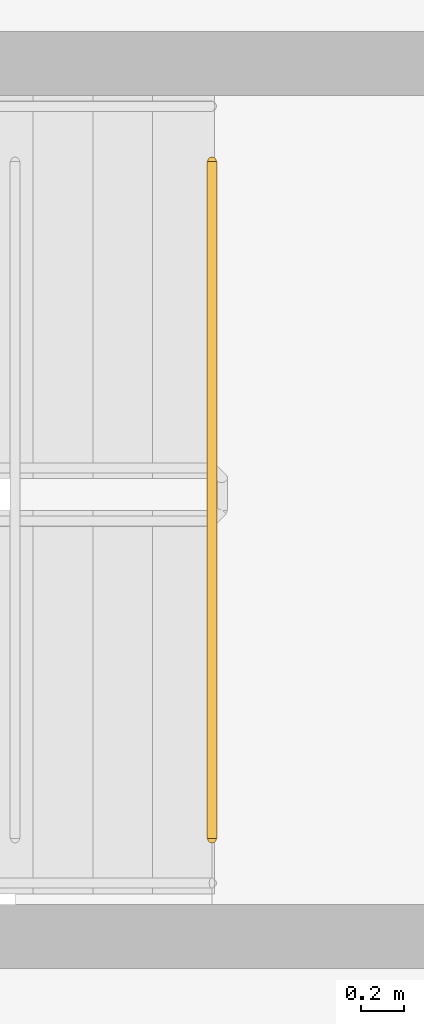
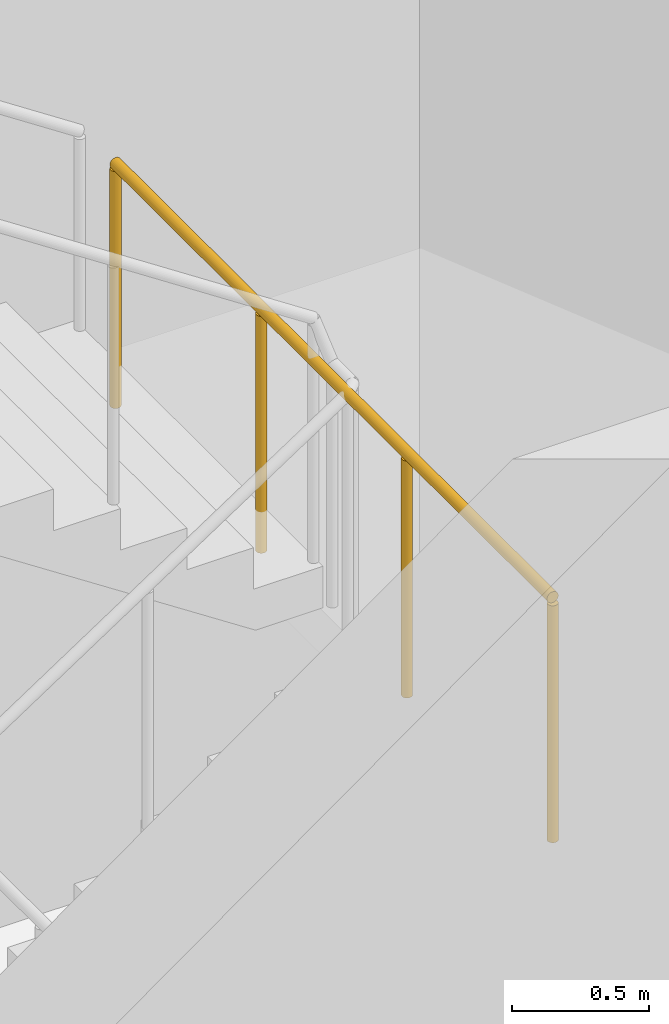
# One storey, part 35 of 35: 1 railing.
"""IFC4 building model written with IfcOpenShell, lengths in metres."""

from ifc_helpers import new_model, si_unit, direction, frame, origin, origin_2d, place, context, subcontext, project, spatial, circle, extrude, material, type_object, element, save


model = new_model("IFC4")

# Units and contexts
model_context = context("Model", 3, precision=1e-05, world=origin(), true_north=direction((0.0, 1.0)))
body_context = subcontext(model_context, "Body", "Model", "MODEL_VIEW")
ifc_project = project(units=[si_unit("LENGTHUNIT", "METRE"), si_unit("AREAUNIT", "SQUARE_METRE"), si_unit("VOLUMEUNIT", "CUBIC_METRE"), si_unit("PLANEANGLEUNIT", "RADIAN"), si_unit("MASSUNIT", "GRAM", prefix="KILO")], contexts=[model_context])

# Site, building, storey
site_placement = place(None, origin())
site = spatial("IfcSite", under=ifc_project, at=site_placement, CompositionType="ELEMENT")
building_placement = place(site_placement, origin())
building = spatial("IfcBuilding", under=site, at=building_placement, Name="Wharfspan Tower", CompositionType="ELEMENT")
storey_placement = place(building_placement, frame((0.0, 0.0, 202.300049)))
storey = spatial("IfcBuildingStorey", under=building, at=storey_placement, Name="L50", CompositionType="ELEMENT", Elevation=202.300049)

# Railing
ifc_material = material(Name="Steel S355J2", Category="steel")
railing_type = type_object("IfcRailingType", Name="Stair guard 1100", PredefinedType="GUARDRAIL", material=ifc_material)
railing_placement = place(storey_placement, frame((72.32959, 25.514893, 2.399902)))
element("IfcRailing", 1, at=railing_placement, inside=storey, type_object=railing_type, Name="L50 ST6 band guard 1", PredefinedType="GUARDRAIL", context=body_context, shape_type="SweptSolid", body=[
    extrude(circle(Radius=0.023926, at=origin_2d()), frame((0.0, 0.0, 1.076172), z_axis=(0.0, -1.0, 0.0), x_axis=(1.0, 0.0, 0.0)), (0.0, 0.0, 1.0), 3.179932),
    extrude(circle(Radius=0.020996, at=origin_2d()), origin(), (0.0, 0.0, 1.0), 1.052002),
    extrude(circle(Radius=0.020996, at=origin_2d()), frame((0.0, -1.060059, 0.0)), (0.0, 0.0, 1.0), 1.052002),
    extrude(circle(Radius=0.020996, at=origin_2d()), frame((0.0, -2.119873, 0.0)), (0.0, 0.0, 1.0), 1.052002),
    extrude(circle(Radius=0.020996, at=origin_2d()), frame((0.0, -3.179932, 0.0)), (0.0, 0.0, 1.0), 1.052002),
])

save(model, "model.ifc")
